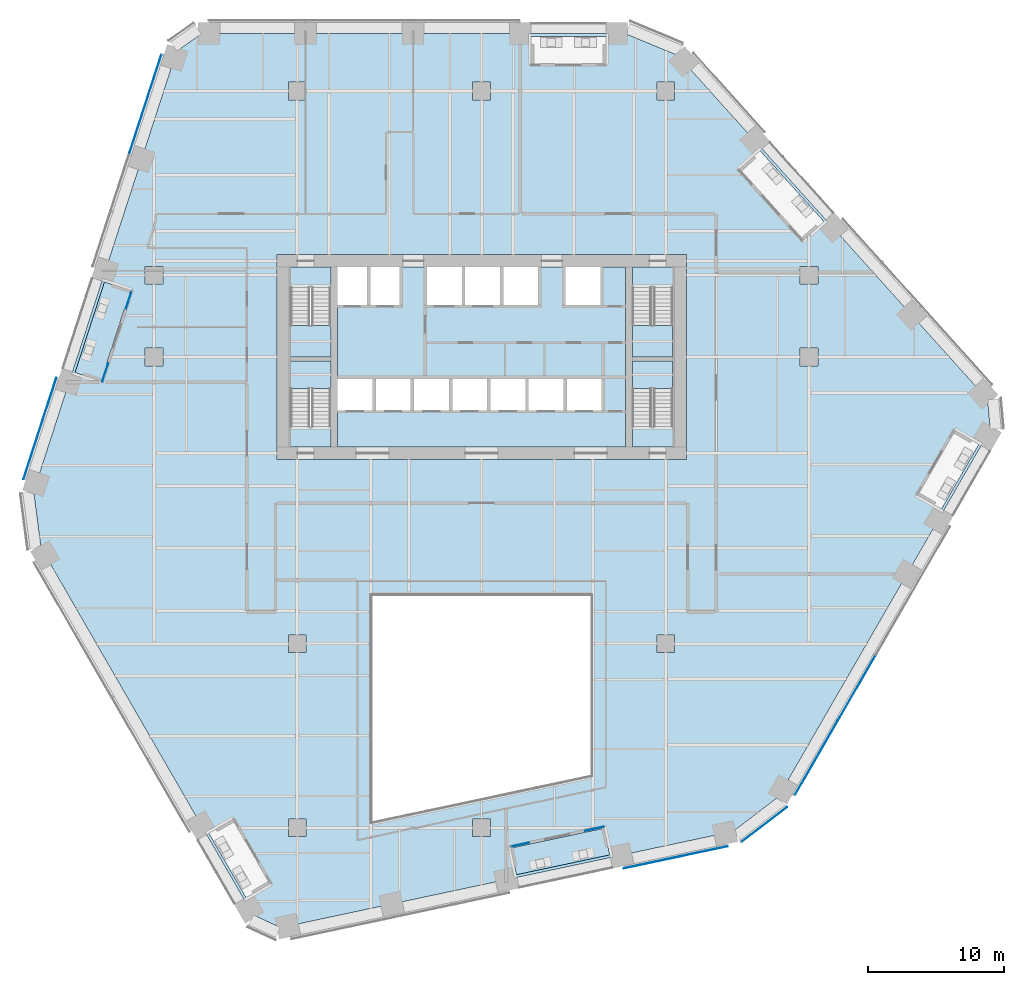
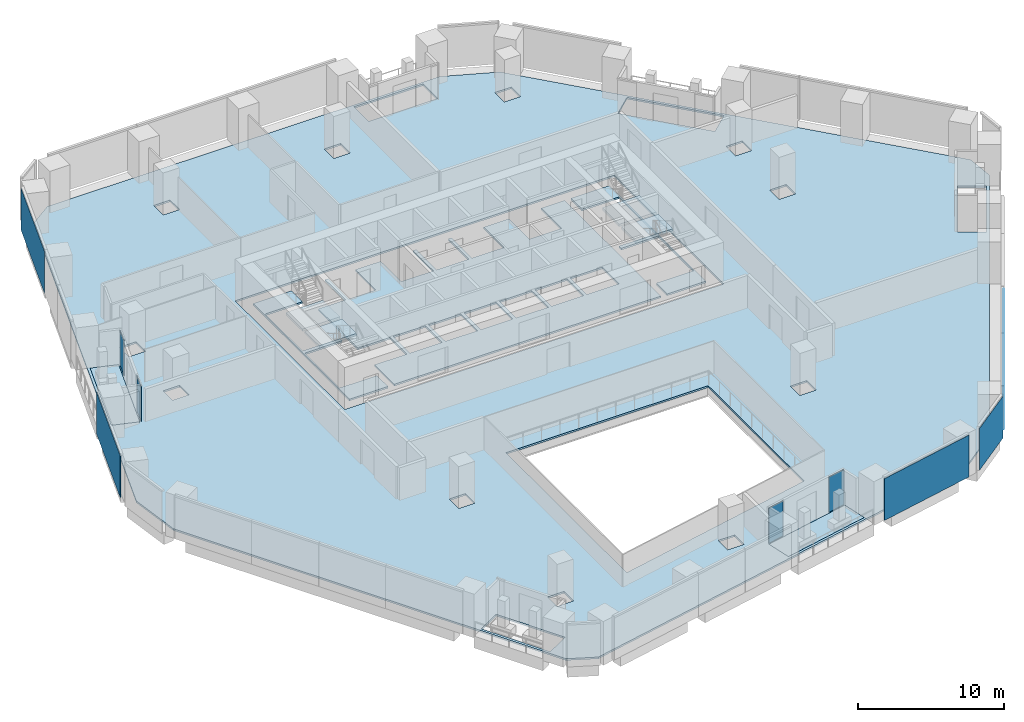
# One storey, part 17 of 28: 10 plates, 10 slabs, 10 elements without a shape of their own.
"""IFC4 building model written with IfcOpenShell, lengths in metres."""

from ifc_helpers import new_model, si_unit, direction, frame, origin, origin_2d, place, context, subcontext, project, spatial, polyline, rectangle, outline, extrude, material, layer, layer_set, type_object, element, aggregate, save


model = new_model("IFC4")

# Units and contexts
model_context = context("Model", 3, precision=1e-05, world=origin(), true_north=direction((0.0, 1.0)))
body_context = subcontext(model_context, "Body", "Model", "MODEL_VIEW")
ifc_project = project(units=[si_unit("LENGTHUNIT", "METRE"), si_unit("AREAUNIT", "SQUARE_METRE"), si_unit("VOLUMEUNIT", "CUBIC_METRE"), si_unit("PLANEANGLEUNIT", "RADIAN"), si_unit("MASSUNIT", "GRAM", prefix="KILO")], contexts=[model_context])

# Site, building, storey
site_placement = place(None, origin())
site = spatial("IfcSite", under=ifc_project, at=site_placement, CompositionType="ELEMENT")
building_placement = place(site_placement, origin())
building = spatial("IfcBuilding", under=site, at=building_placement, Name="Isthmus Gate Tower", CompositionType="ELEMENT")
storey_placement = place(building_placement, frame((0.0, 0.0, 98.89990234375)))
storey = spatial("IfcBuildingStorey", under=building, at=storey_placement, Name="L23", CompositionType="ELEMENT", Elevation=98.89990234375)

# Slabs
ifc_material_1 = material(Name="Concrete f'c 40 MPa", Category="concrete")
ifc_layer_1 = layer(ifc_material_1, 0.14990234375)
ifc_layer_set_1 = layer_set([ifc_layer_1], Name="COMPOSITE FLOOR SLAB 150")
slab_type_1 = type_object("IfcSlabType", Name="COMPOSITE FLOOR SLAB 150", PredefinedType="FLOOR", material=ifc_layer_set_1)
slab_1_placement = place(storey_placement, frame((0.0, 0.0, -0.14990234375)))
element("IfcSlab", 1, at=slab_1_placement, inside=storey, type_object=slab_type_1, Name="str-slab-L23-1", PredefinedType="FLOOR", context=body_context, shape_type="SweptSolid", body=[
    extrude(outline(polyline([(14.391357421875, 29.599365234375), (37.081787109375, 4.399169921875), (37.281494140625, 2.17333984375), (21.748779296875, -24.729736328125), (18.438232421875, -27.262939453125), (-14.73095703125, -34.313232421875), (-16.758544921875, -33.373291015625), (-32.291015625, -6.47021484375), (-32.82958984375, -2.33642578125), (-22.3505859375, 29.9140625), (-20.52294921875, 31.199951171875), (10.542236328125, 31.199951171875), (14.391357421875, 29.599365234375)]), holes=[polyline([(-17.2587890625, -32.107177734375), (-15.526611328125, -31.107177734375), (-18.248291015625, -26.392822265625), (-19.98046875, -27.392822265625), (-17.2587890625, -32.107177734375)]), polyline([(-14.14990234375, -26.35009765625), (-14.14990234375, -27.64990234375), (-12.85009765625, -27.64990234375), (-12.85009765625, -26.35009765625), (-14.14990234375, -26.35009765625)]), polyline([(-0.64990234375, -26.35009765625), (-0.64990234375, -27.64990234375), (0.64990234375, -27.64990234375), (0.64990234375, -26.35009765625), (-0.64990234375, -26.35009765625)]), polyline([(8.0, -23.143310546875), (8.0, -10.0), (-8.0, -10.0), (-8.0, -26.544189453125), (8.0, -23.143310546875)]), polyline([(-14.14990234375, -12.85009765625), (-14.14990234375, -14.14990234375), (-12.85009765625, -14.14990234375), (-12.85009765625, -12.85009765625), (-14.14990234375, -12.85009765625)]), polyline([(-23.35009765625, 8.14990234375), (-24.64990234375, 8.14990234375), (-24.64990234375, 6.85009765625), (-23.35009765625, 6.85009765625), (-23.35009765625, 8.14990234375)]), polyline([(15.0, 15.0), (-15.0, 15.0), (-15.0, 0.0), (15.0, 0.0), (15.0, 15.0)]), polyline([(-27.6337890625, 13.007080078125), (-29.793701171875, 6.35986328125), (-27.8916015625, 5.741943359375), (-25.731689453125, 12.38916015625), (-27.6337890625, 13.007080078125)]), polyline([(-23.35009765625, 12.85009765625), (-23.35009765625, 14.14990234375), (-24.64990234375, 14.14990234375), (-24.64990234375, 12.85009765625), (-23.35009765625, 12.85009765625)]), polyline([(-14.14990234375, 27.64990234375), (-14.14990234375, 26.35009765625), (-12.85009765625, 26.35009765625), (-12.85009765625, 27.64990234375), (-14.14990234375, 27.64990234375)]), polyline([(9.388916015625, -28.98193359375), (8.97314453125, -27.025634765625), (2.136474609375, -28.478759765625), (2.55224609375, -30.43505859375), (9.388916015625, -28.98193359375)]), polyline([(14.14990234375, -12.85009765625), (12.85009765625, -12.85009765625), (12.85009765625, -14.14990234375), (14.14990234375, -14.14990234375), (14.14990234375, -12.85009765625)]), polyline([(33.7001953125, -3.629638671875), (36.434814453125, 1.107177734375), (34.702880859375, 2.107177734375), (31.968017578125, -2.629638671875), (33.7001953125, -3.629638671875)]), polyline([(24.64990234375, 6.85009765625), (24.64990234375, 8.14990234375), (23.35009765625, 8.14990234375), (23.35009765625, 6.85009765625), (24.64990234375, 6.85009765625)]), polyline([(23.35009765625, 14.14990234375), (23.35009765625, 12.85009765625), (24.64990234375, 12.85009765625), (24.64990234375, 14.14990234375), (23.35009765625, 14.14990234375)]), polyline([(20.40478515625, 22.6220703125), (18.91845703125, 21.28369140625), (23.59521484375, 16.089599609375), (25.081298828125, 17.427978515625), (20.40478515625, 22.6220703125)]), polyline([(0.64990234375, 27.64990234375), (-0.64990234375, 27.64990234375), (-0.64990234375, 26.35009765625), (0.64990234375, 26.35009765625), (0.64990234375, 27.64990234375)]), polyline([(14.14990234375, 26.35009765625), (14.14990234375, 27.64990234375), (12.85009765625, 27.64990234375), (12.85009765625, 26.35009765625), (14.14990234375, 26.35009765625)]), polyline([(9.101806640625, 31.0), (3.63232421875, 31.0), (3.63232421875, 29.0), (9.101806640625, 29.0), (9.101806640625, 31.0)])]), origin(), (0.0, 0.0, 1.0), 0.14990234375),
])
ifc_material_2 = material(Name="Concrete f'c 40 MPa", Category="concrete")
ifc_layer_2 = layer(ifc_material_2, 0.14990234375)
ifc_layer_set_2 = layer_set([ifc_layer_2], Name="CORE FLOOR SLAB 150")
slab_type_2 = type_object("IfcSlabType", Name="CORE FLOOR SLAB 150", PredefinedType="FLOOR", material=ifc_layer_set_2)
slab_2_placement = place(storey_placement, frame((0.0, 0.0, -0.14990234375)))
element("IfcSlab", 2, at=slab_2_placement, inside=storey, type_object=slab_type_2, Name="L23 core floor", PredefinedType="FLOOR", context=body_context, shape_type="SweptSolid", body=[
    extrude(outline(polyline([(-11.050048828125, 0.89990234375), (-11.050048828125, 2.402099609375), (-14.0, 2.402099609375), (-14.0, 7.199951171875), (-11.050048828125, 7.199951171875), (-11.050048828125, 7.5), (-14.0, 7.5), (-14.0, 12.597900390625), (-11.050048828125, 12.597900390625), (-11.050048828125, 14.10009765625), (-14.10009765625, 14.10009765625), (-14.10009765625, 0.89990234375), (-11.050048828125, 0.89990234375)])), origin(), (0.0, 0.0, 1.0), 0.14990234375),
])
slab_3_placement = place(storey_placement, frame((0.0, 0.0, -0.14990234375)))
element("IfcSlab", 3, at=slab_3_placement, inside=storey, type_object=slab_type_2, Name="L23 core floor", PredefinedType="FLOOR", context=body_context, shape_type="SweptSolid", body=[
    extrude(outline(polyline([(10.550048828125, 14.10009765625), (8.699951171875, 14.10009765625), (8.699951171875, 11.300048828125), (6.14990234375, 11.300048828125), (6.14990234375, 14.10009765625), (4.14990234375, 14.10009765625), (4.14990234375, 11.300048828125), (1.60009765625, 11.300048828125), (1.60009765625, 14.10009765625), (1.35009765625, 14.10009765625), (1.35009765625, 11.300048828125), (-1.199951171875, 11.300048828125), (-1.199951171875, 14.10009765625), (-1.449951171875, 14.10009765625), (-1.449951171875, 11.300048828125), (-4.0, 11.300048828125), (-4.0, 14.10009765625), (-6.0, 14.10009765625), (-6.0, 11.300048828125), (-8.14990234375, 11.300048828125), (-8.14990234375, 14.10009765625), (-8.39990234375, 14.10009765625), (-8.39990234375, 11.300048828125), (-10.550048828125, 11.300048828125), (-10.550048828125, 5.89990234375), (-8.0, 5.89990234375), (-8.0, 3.60009765625), (-10.550048828125, 3.60009765625), (-10.550048828125, 0.89990234375), (10.550048828125, 0.89990234375), (10.550048828125, 14.10009765625)]), holes=[polyline([(-5.199951171875, 5.89990234375), (-5.199951171875, 3.60009765625), (-7.75, 3.60009765625), (-7.75, 5.89990234375), (-5.199951171875, 5.89990234375)]), polyline([(-2.39990234375, 5.89990234375), (-2.39990234375, 3.60009765625), (-4.949951171875, 3.60009765625), (-4.949951171875, 5.89990234375), (-2.39990234375, 5.89990234375)]), polyline([(0.39990234375, 5.89990234375), (0.39990234375, 3.60009765625), (-2.14990234375, 3.60009765625), (-2.14990234375, 5.89990234375), (0.39990234375, 5.89990234375)]), polyline([(3.199951171875, 5.89990234375), (3.199951171875, 3.60009765625), (0.64990234375, 3.60009765625), (0.64990234375, 5.89990234375), (3.199951171875, 5.89990234375)]), polyline([(6.0, 5.89990234375), (6.0, 3.60009765625), (3.449951171875, 3.60009765625), (3.449951171875, 5.89990234375), (6.0, 5.89990234375)]), polyline([(8.800048828125, 5.89990234375), (8.800048828125, 3.60009765625), (6.25, 3.60009765625), (6.25, 5.89990234375), (8.800048828125, 5.89990234375)])]), origin(), (0.0, 0.0, 1.0), 0.14990234375),
])
slab_4_placement = place(storey_placement, frame((0.0, 0.0, -0.14990234375)))
element("IfcSlab", 4, at=slab_4_placement, inside=storey, type_object=slab_type_2, Name="L23 core floor", PredefinedType="FLOOR", context=body_context, shape_type="SweptSolid", body=[
    extrude(outline(polyline([(11.050048828125, 14.10009765625), (11.050048828125, 12.597900390625), (14.0, 12.597900390625), (14.0, 7.5), (11.050048828125, 7.5), (11.050048828125, 7.199951171875), (14.0, 7.199951171875), (14.0, 2.402099609375), (11.050048828125, 2.402099609375), (11.050048828125, 0.89990234375), (14.10009765625, 0.89990234375), (14.10009765625, 14.10009765625), (11.050048828125, 14.10009765625)])), origin(), (0.0, 0.0, 1.0), 0.14990234375),
])

# Curtain wall, plates
ifc_material_3 = material(Name="Aluminium, pale champagne anodised", Category="aluminium")
ifc_layer_3 = layer(ifc_material_3, 0.199951171875)
ifc_layer_set_3 = layer_set([ifc_layer_3], Name="CW-1 UNITISED CURTAIN WALL 200 DEEP")
curtain_wall_type_1 = type_object("IfcCurtainWallType", Name="CW-1 UNITISED CURTAIN WALL 200 DEEP", PredefinedType="NOTDEFINED", material=ifc_layer_set_3)
curtain_wall_1_placement = place(storey_placement, origin())
curtain_wall_1 = element("IfcCurtainWall", 5, at=curtain_wall_1_placement, inside=storey, type_object=curtain_wall_type_1, Name="CW-1 NW L23", PredefinedType="NOTDEFINED")
ifc_material_4 = material(Name="Laminated low-iron glass, pale blue tint", Category="glass")
ifc_layer_4 = layer(ifc_material_4, 0.0400390625)
ifc_layer_set_4 = layer_set([ifc_layer_4], Name="CW-1 CLEAR GLASS LITE 40")
plate_type_1 = type_object("IfcPlateType", Name="CW-1 CLEAR GLASS LITE 40", PredefinedType="CURTAIN_PANEL", material=ifc_layer_set_4)
plate_1_placement = place(storey_placement, frame((-24.660400390625, 25.97705078125, 0.0), z_axis=(0.0, 0.0, 1.0), x_axis=(-0.309016994375, -0.951056516295, 0.0)))
plate_1 = element("IfcPlate", 6, at=plate_1_placement, type_object=plate_type_1, Name="CW-1 glass lite", PredefinedType="CURTAIN_PANEL", context=body_context, shape_type="SweptSolid", body=[
    extrude(rectangle(XDim=7.729248046875, YDim=0.0400390625, at=origin_2d()), origin(), (0.0, 0.0, 1.0), 3.5),
])
plate_2_placement = place(storey_placement, frame((-32.36669921875, 2.259765625, 0.0), z_axis=(0.0, 0.0, 1.0), x_axis=(-0.309016994375, -0.951056516295, 0.0)))
plate_2 = element("IfcPlate", 7, at=plate_2_placement, type_object=plate_type_1, Name="CW-1 glass lite", PredefinedType="CURTAIN_PANEL", context=body_context, shape_type="SweptSolid", body=[
    extrude(rectangle(XDim=7.789306640625, YDim=0.0400390625, at=origin_2d()), origin(), (0.0, 0.0, 1.0), 3.5),
])
aggregate(curtain_wall_1, [plate_1, plate_2])

# Curtain wall, plate
curtain_wall_2_placement = place(storey_placement, origin())
curtain_wall_2 = element("IfcCurtainWall", 8, at=curtain_wall_2_placement, inside=storey, type_object=curtain_wall_type_1, Name="CW-1 S L23", PredefinedType="NOTDEFINED")
plate_3_placement = place(storey_placement, frame((14.226318359375, -29.16015625, 0.0), z_axis=(0.0, 0.0, 1.0), x_axis=(0.978147600734, 0.207911690818, 0.0)))
plate_3 = element("IfcPlate", 9, at=plate_3_placement, type_object=plate_type_1, Name="CW-1 glass lite", PredefinedType="CURTAIN_PANEL", context=body_context, shape_type="SweptSolid", body=[
    extrude(rectangle(XDim=7.789306640625, YDim=0.0400390625, at=origin_2d()), origin(), (0.0, 0.0, 1.0), 3.5),
])
aggregate(curtain_wall_2, [plate_3])

curtain_wall_3_placement = place(storey_placement, origin())
curtain_wall_3 = element("IfcCurtainWall", 10, at=curtain_wall_3_placement, inside=storey, type_object=curtain_wall_type_1, Name="CW-1 S-SE L23", PredefinedType="NOTDEFINED")
plate_4_placement = place(storey_placement, frame((20.711669921875, -26.75732421875, 0.0), z_axis=(0.0, 0.0, 1.0), x_axis=(0.794188594387, 0.607671355706, 0.0)))
plate_4 = element("IfcPlate", 11, at=plate_4_placement, type_object=plate_type_1, Name="CW-1 glass lite", PredefinedType="CURTAIN_PANEL", context=body_context, shape_type="SweptSolid", body=[
    extrude(rectangle(XDim=4.181396484375, YDim=0.0400390625, at=origin_2d()), origin(), (0.0, 0.0, 1.0), 3.5),
])
aggregate(curtain_wall_3, [plate_4])

# Curtain wall, plates
curtain_wall_4_placement = place(storey_placement, origin())
curtain_wall_4 = element("IfcCurtainWall", 12, at=curtain_wall_4_placement, inside=storey, type_object=curtain_wall_type_1, Name="CW-1 SE L23", PredefinedType="NOTDEFINED")
plate_5_placement = place(storey_placement, frame((24.517333984375, -21.89453125, 0.0), z_axis=(0.0, 0.0, 1.0), x_axis=(0.5, 0.866025403784, 0.0)))
plate_5 = element("IfcPlate", 13, at=plate_5_placement, type_object=plate_type_1, Name="CW-1 glass lite", PredefinedType="CURTAIN_PANEL", context=body_context, shape_type="SweptSolid", body=[
    extrude(rectangle(XDim=6.278564453125, YDim=0.0400390625, at=origin_2d()), origin(), (0.0, 0.0, 1.0), 3.5),
])
plate_6_placement = place(storey_placement, frame((27.4716796875, -16.777587890625, 0.0), z_axis=(0.0, 0.0, 1.0), x_axis=(0.5, 0.866025403784, 0.0)))
plate_6 = element("IfcPlate", 14, at=plate_6_placement, type_object=plate_type_1, Name="CW-1 glass lite", PredefinedType="CURTAIN_PANEL", context=body_context, shape_type="SweptSolid", body=[
    extrude(rectangle(XDim=5.53857421875, YDim=0.0400390625, at=origin_2d()), origin(), (0.0, 0.0, 1.0), 3.5),
])
aggregate(curtain_wall_4, [plate_5, plate_6])

ifc_material_5 = material(Name="Aluminium, pale champagne anodised", Category="aluminium")
ifc_layer_5 = layer(ifc_material_5, 0.14990234375)
ifc_layer_set_5 = layer_set([ifc_layer_5], Name="CW-6 LOGGIA BACK WALL GLAZING 150 DEEP")
curtain_wall_type_2 = type_object("IfcCurtainWallType", Name="CW-6 LOGGIA BACK WALL GLAZING 150 DEEP", PredefinedType="NOTDEFINED", material=ifc_layer_set_5)
curtain_wall_5_placement = place(storey_placement, origin())
curtain_wall_5 = element("IfcCurtainWall", 15, at=curtain_wall_5_placement, inside=storey, type_object=curtain_wall_type_2, Name="CW-6 NW L23", PredefinedType="NOTDEFINED")
ifc_material_6 = material(Name="Laminated low-iron glass, clear", Category="glass")
ifc_layer_6 = layer(ifc_material_6, 0.031982421875)
ifc_layer_set_6 = layer_set([ifc_layer_6], Name="CW-6 CLEAR GLASS LITE 32")
plate_type_2 = type_object("IfcPlateType", Name="CW-6 CLEAR GLASS LITE 32", PredefinedType="CURTAIN_PANEL", material=ifc_layer_set_6)
plate_7_placement = place(storey_placement, frame((-25.861328125, 11.66650390625, 0.0), z_axis=(0.0, 0.0, 1.0), x_axis=(-0.309016994375, -0.951056516295, 0.0)))
plate_7 = element("IfcPlate", 16, at=plate_7_placement, type_object=plate_type_2, Name="CW-6 glass lite", PredefinedType="CURTAIN_PANEL", context=body_context, shape_type="SweptSolid", body=[
    extrude(rectangle(XDim=1.334716796875, YDim=0.031982421875, at=origin_2d()), origin(), (0.0, 0.0, 1.0), 2.929931640625),
])
plate_8_placement = place(storey_placement, frame((-27.580810546875, 6.374267578125, 0.0), z_axis=(0.0, 0.0, 1.0), x_axis=(-0.309016994375, -0.951056516295, 0.0)))
plate_8 = element("IfcPlate", 17, at=plate_8_placement, type_object=plate_type_2, Name="CW-6 glass lite", PredefinedType="CURTAIN_PANEL", context=body_context, shape_type="SweptSolid", body=[
    extrude(rectangle(XDim=1.394775390625, YDim=0.031982421875, at=origin_2d()), origin(), (0.0, 0.0, 1.0), 2.929931640625),
])
aggregate(curtain_wall_5, [plate_7, plate_8])

curtain_wall_6_placement = place(storey_placement, origin())
curtain_wall_6 = element("IfcCurtainWall", 18, at=curtain_wall_6_placement, inside=storey, type_object=curtain_wall_type_2, Name="CW-6 S L23", PredefinedType="NOTDEFINED")
plate_9_placement = place(storey_placement, frame((2.8271484375, -28.229736328125, 0.0), z_axis=(0.0, 0.0, 1.0), x_axis=(0.978147600734, 0.207911690818, 0.0)))
plate_9 = element("IfcPlate", 19, at=plate_9_placement, type_object=plate_type_2, Name="CW-6 glass lite", PredefinedType="CURTAIN_PANEL", context=body_context, shape_type="SweptSolid", body=[
    extrude(rectangle(XDim=1.334716796875, YDim=0.031982421875, at=origin_2d()), origin(), (0.0, 0.0, 1.0), 2.929931640625),
])
plate_10_placement = place(storey_placement, frame((8.270263671875, -27.07275390625, 0.0), z_axis=(0.0, 0.0, 1.0), x_axis=(0.978147600734, 0.207911690818, 0.0)))
plate_10 = element("IfcPlate", 20, at=plate_10_placement, type_object=plate_type_2, Name="CW-6 glass lite", PredefinedType="CURTAIN_PANEL", context=body_context, shape_type="SweptSolid", body=[
    extrude(rectangle(XDim=1.394775390625, YDim=0.031982421875, at=origin_2d()), origin(), (0.0, 0.0, 1.0), 2.929931640625),
])
aggregate(curtain_wall_6, [plate_9, plate_10])

# Slabs
ifc_material_7 = material(Name="Concrete f'c 50 MPa", Category="concrete")
ifc_layer_7 = layer(ifc_material_7, 0.14990234375)
ifc_layer_set_7 = layer_set([ifc_layer_7], Name="LOGGIA FLOOR SLAB 150")
slab_type_3 = type_object("IfcSlabType", Name="LOGGIA FLOOR SLAB 150", PredefinedType="FLOOR", material=ifc_layer_set_7)
slab_5_placement = place(storey_placement, frame((0.0, 0.0, -0.14990234375)))
element("IfcSlab", 21, at=slab_5_placement, inside=storey, type_object=slab_type_3, Name="LOGGIA FLOOR", PredefinedType="FLOOR", context=body_context, shape_type="SweptSolid", body=[
    extrude(outline(polyline([(-27.6337890625, 13.007080078125), (-29.793701171875, 6.35986328125), (-27.8916015625, 5.741943359375), (-25.731689453125, 12.38916015625), (-27.6337890625, 13.007080078125)])), origin(), (0.0, 0.0, 1.0), 0.14990234375),
])
slab_6_placement = place(storey_placement, frame((0.0, 0.0, -0.14990234375)))
element("IfcSlab", 22, at=slab_6_placement, inside=storey, type_object=slab_type_3, Name="LOGGIA FLOOR", PredefinedType="FLOOR", context=body_context, shape_type="SweptSolid", body=[
    extrude(outline(polyline([(2.55224609375, -30.43505859375), (9.388916015625, -28.98193359375), (8.97314453125, -27.025634765625), (2.136474609375, -28.478759765625), (2.55224609375, -30.43505859375)])), origin(), (0.0, 0.0, 1.0), 0.14990234375),
])

# Stair, slab
ifc_material_8 = material(Name="Concrete f'c 40 MPa", Category="concrete")
stair_type = type_object("IfcStairType", Name="CORE STAIR 22 RISERS", PredefinedType="HALF_TURN_STAIR", material=ifc_material_8)
stair_1_placement = place(storey_placement, origin())
stair_1 = element("IfcStair", 23, at=stair_1_placement, inside=storey, type_object=stair_type, Name="L23 Exit Stair 1", PredefinedType="HALF_TURN_STAIR")
ifc_material_9 = material(Name="Concrete f'c 40 MPa", Category="concrete")
ifc_layer_8 = layer(ifc_material_9, 0.199951171875)
ifc_layer_set_8 = layer_set([ifc_layer_8])
slab_type_4 = type_object("IfcSlabType", Name="STAIR LANDING RC 200", PredefinedType="LANDING", material=ifc_layer_set_8)
slab_7_placement = place(storey_placement, frame((0.0, 0.0, 1.625)))
slab_7 = element("IfcSlab", 24, at=slab_7_placement, type_object=slab_type_4, Name="ST1 landing 1", PredefinedType="LANDING", context=body_context, shape_type="SweptSolid", body=[
    extrude(outline(polyline([(-14.0, 9.800048828125), (-14.0, 7.5), (-11.050048828125, 7.5), (-11.050048828125, 9.800048828125), (-14.0, 9.800048828125)])), origin(), (0.0, 0.0, 1.0), 0.2001953125),
])
aggregate(stair_1, [slab_7])

stair_2_placement = place(storey_placement, origin())
stair_2 = element("IfcStair", 25, at=stair_2_placement, inside=storey, type_object=stair_type, Name="L23 Exit Stair 2", PredefinedType="HALF_TURN_STAIR")
slab_8_placement = place(storey_placement, frame((0.0, 0.0, 1.625)))
slab_8 = element("IfcSlab", 26, at=slab_8_placement, type_object=slab_type_4, Name="ST2 landing 1", PredefinedType="LANDING", context=body_context, shape_type="SweptSolid", body=[
    extrude(outline(polyline([(11.050048828125, 9.800048828125), (11.050048828125, 7.5), (14.0, 7.5), (14.0, 9.800048828125), (11.050048828125, 9.800048828125)])), origin(), (0.0, 0.0, 1.0), 0.2001953125),
])
aggregate(stair_2, [slab_8])

stair_3_placement = place(storey_placement, origin())
stair_3 = element("IfcStair", 27, at=stair_3_placement, inside=storey, type_object=stair_type, Name="L23 Exit Stair 7", PredefinedType="HALF_TURN_STAIR")
slab_9_placement = place(storey_placement, frame((0.0, 0.0, 1.625)))
slab_9 = element("IfcSlab", 28, at=slab_9_placement, type_object=slab_type_4, Name="ST7 landing 1", PredefinedType="LANDING", context=body_context, shape_type="SweptSolid", body=[
    extrude(outline(polyline([(-11.050048828125, 5.199951171875), (-11.050048828125, 7.199951171875), (-14.0, 7.199951171875), (-14.0, 5.199951171875), (-11.050048828125, 5.199951171875)])), origin(), (0.0, 0.0, 1.0), 0.2001953125),
])
aggregate(stair_3, [slab_9])

stair_4_placement = place(storey_placement, origin())
stair_4 = element("IfcStair", 29, at=stair_4_placement, inside=storey, type_object=stair_type, Name="L23 Exit Stair 8", PredefinedType="HALF_TURN_STAIR")
slab_10_placement = place(storey_placement, frame((0.0, 0.0, 1.625)))
slab_10 = element("IfcSlab", 30, at=slab_10_placement, type_object=slab_type_4, Name="ST8 landing 1", PredefinedType="LANDING", context=body_context, shape_type="SweptSolid", body=[
    extrude(outline(polyline([(14.0, 5.199951171875), (14.0, 7.199951171875), (11.050048828125, 7.199951171875), (11.050048828125, 5.199951171875), (14.0, 5.199951171875)])), origin(), (0.0, 0.0, 1.0), 0.2001953125),
])
aggregate(stair_4, [slab_10])

save(model, "model.ifc")
